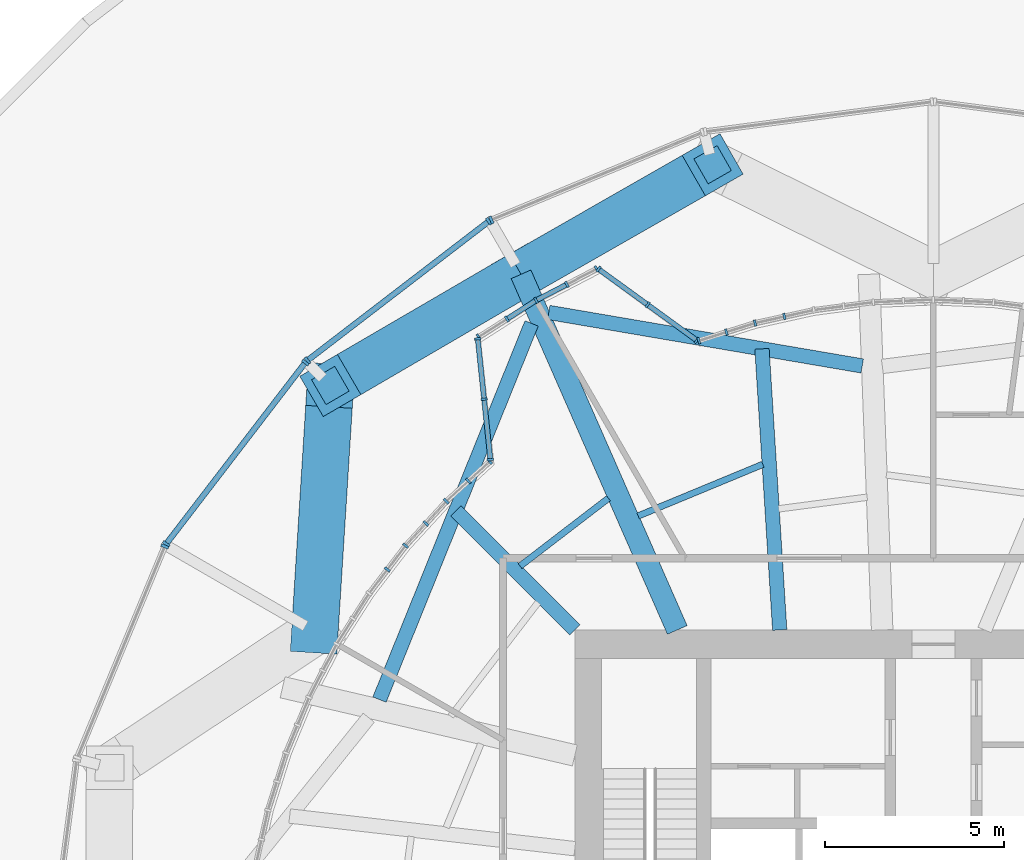
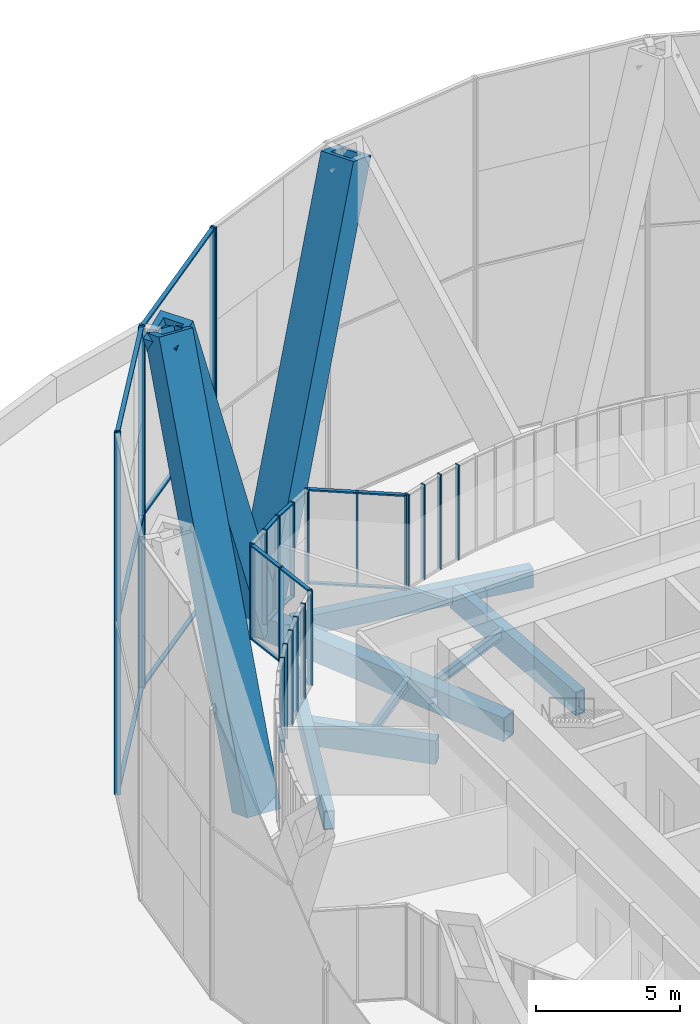
# One storey, part 6 of 27: 48 members, 7 beams, 13 elements without a shape of their own.
"""IFC4 building model written with IfcOpenShell, lengths in metres."""

from ifc_helpers import new_model, si_unit, direction, frame, origin, origin_2d, place, context, subcontext, project, spatial, rectangle, hollow_rectangle, i_section, extrude, material, material_profile, profile_set, type_object, element, aggregate, save


model = new_model("IFC4")

# Units and contexts
model_context = context("Model", 3, precision=1e-05, world=origin(), true_north=direction((0.0, 1.0)))
body_context = subcontext(model_context, "Body", "Model", "MODEL_VIEW")
ifc_project = project(units=[si_unit("LENGTHUNIT", "METRE"), si_unit("AREAUNIT", "SQUARE_METRE"), si_unit("VOLUMEUNIT", "CUBIC_METRE"), si_unit("PLANEANGLEUNIT", "RADIAN"), si_unit("MASSUNIT", "GRAM", prefix="KILO")], contexts=[model_context])

# Site, building, storey
site_placement = place(None, origin())
site = spatial("IfcSite", under=ifc_project, at=site_placement, CompositionType="ELEMENT")
building_placement = place(site_placement, origin())
building = spatial("IfcBuilding", under=site, at=building_placement, Name="Golbaran Civic Tower", CompositionType="ELEMENT")
storey_placement = place(building_placement, frame((0.0, 0.0, 21.0)))
storey = spatial("IfcBuildingStorey", under=building, at=storey_placement, Name="L04", CompositionType="ELEMENT", Elevation=21.0)

# Members
ifc_material_1 = material(Name="Steel S355", Category="steel")
ifc_material_profile_1 = material_profile(ifc_material_1, hollow_rectangle(XDim=1.300048828125, YDim=1.300048828125, WallThickness=0.25, at=origin_2d()), Name="BOX 1300x1300x250")
ifc_profile_set_1 = profile_set([ifc_material_profile_1], Name="Steel S355")
member_type_1 = type_object("IfcMemberType", Name="DIAGRID DIAGONAL BOX 1300x1300x250", PredefinedType="BRACE", material=ifc_profile_set_1)
member_1_placement = place(storey_placement, frame((-11.5, 19.918701171875, -0.7099609375), z_axis=(-0.310240999573, -0.180832692797, 0.933300626486), x_axis=(0.503577568182, -0.86395001755, 0.0)))
element("IfcMember", 1, at=member_1_placement, inside=storey, type_object=member_type_1, Name="Diagonal D00-04R L04-L08", PredefinedType="BRACE", context=body_context, shape_type="SweptSolid", body=[
    extrude(hollow_rectangle(XDim=1.300048828125, YDim=1.300048828125, WallThickness=0.25, at=origin_2d()), origin(), (0.0, 0.0, 1.0), 17.1435546875),
])
member_2_placement = place(storey_placement, frame((-11.5, 19.918701171875, -0.7099609375), z_axis=(0.311722757157, 0.178255459424, 0.933302691444), x_axis=(-0.496407983578, 0.868089346692, 0.0)))
element("IfcMember", 2, at=member_2_placement, inside=storey, type_object=member_type_1, Name="Diagonal D00-04L L04-L08", PredefinedType="BRACE", context=body_context, shape_type="SweptSolid", body=[
    extrude(hollow_rectangle(XDim=1.300048828125, YDim=1.300048828125, WallThickness=0.25, at=origin_2d()), origin(), (0.0, 0.0, 1.0), 17.143310546875),
])
member_3_placement = place(storey_placement, frame((-17.25, 9.959228515625, -0.7099609375), z_axis=(0.024773388533, 0.393906691689, 0.918816520021), x_axis=(-0.998028176188, 0.06276750382, 0.0)))
element("IfcMember", 3, at=member_3_placement, inside=storey, type_object=member_type_1, Name="Diagonal D00-05L L04-L08", PredefinedType="BRACE", context=body_context, shape_type="SweptSolid", body=[
    extrude(hollow_rectangle(XDim=1.300048828125, YDim=1.300048828125, WallThickness=0.25, at=origin_2d()), origin(), (0.0, 0.0, 1.0), 17.413818359375),
])

# Beams
ifc_material_profile_2 = material_profile(ifc_material_1, hollow_rectangle(XDim=0.39990234375, YDim=0.800048828125, WallThickness=0.0400390625, at=origin_2d()), Name="BOX 800x400x40")
ifc_profile_set_2 = profile_set([ifc_material_profile_2], Name="Steel S355")
beam_type_1 = type_object("IfcBeamType", Name="EDGE BEAM BOX 800x400x40", PredefinedType="BEAM", material=ifc_profile_set_2)
beam_1_placement = place(storey_placement, frame((-1.984619140625, 17.363037109375, -0.60009765625), z_axis=(-0.985735979986, 0.168299072372, 0.0), x_axis=(-0.168299072372, -0.985735979986, 0.0)))
element("IfcBeam", 4, at=beam_1_placement, inside=storey, type_object=beam_type_1, Name="Edge beam 90.00 L04", PredefinedType="BEAM", context=body_context, shape_type="SweptSolid", body=[
    extrude(hollow_rectangle(XDim=0.39990234375, YDim=0.800048828125, WallThickness=0.0400390625, at=origin_2d()), origin(), (0.0, 0.0, 1.0), 8.869140625),
])
beam_2_placement = place(storey_placement, frame((-11.20458984375, 18.5498046875, -0.60009765625), z_axis=(-0.37493987114, -0.927049131939, 0.0), x_axis=(0.927049131939, -0.37493987114, 0.0)))
element("IfcBeam", 5, at=beam_2_placement, inside=storey, type_object=beam_type_1, Name="Edge beam 120.00 L04", PredefinedType="BEAM", context=body_context, shape_type="SweptSolid", body=[
    extrude(hollow_rectangle(XDim=0.39990234375, YDim=0.800048828125, WallThickness=0.0400390625, at=origin_2d()), origin(), (0.0, 0.0, 1.0), 11.317626953125),
])
ifc_material_profile_3 = material_profile(ifc_material_1, i_section(OverallWidth=0.179931640625, OverallDepth=0.39990234375, WebThickness=0.008544921875, FlangeThickness=0.013427734375, FilletRadius=0.02099609375, at=origin_2d()), Name="IPE 400")
ifc_profile_set_3 = profile_set([ifc_material_profile_3], Name="Steel S355")
beam_type_2 = type_object("IfcBeamType", Name="FLOOR INFILL BEAM IPE 400", PredefinedType="BEAM", material=ifc_profile_set_3)
beam_3_placement = place(storey_placement, frame((-4.75732421875, 14.61865234375, -0.39990234375), z_axis=(-0.923892670762, -0.382651712283, 0.0), x_axis=(0.382651712283, -0.923892670762, 0.0)))
element("IfcBeam", 6, at=beam_3_placement, inside=storey, type_object=beam_type_2, Name="Infill beam 112.50 L04", PredefinedType="BEAM", context=body_context, shape_type="SweptSolid", body=[
    extrude(i_section(OverallWidth=0.179931640625, OverallDepth=0.39990234375, WebThickness=0.008544921875, FlangeThickness=0.013427734375, FilletRadius=0.02099609375, at=origin_2d()), origin(), (0.0, 0.0, 1.0), 3.762451171875),
])
beam_4_placement = place(storey_placement, frame((-9.06201171875, 13.672607421875, -0.39990234375), z_axis=(-0.7933508078, -0.608764729401, 0.0), x_axis=(0.608764729401, -0.7933508078, 0.0)))
element("IfcBeam", 7, at=beam_4_placement, inside=storey, type_object=beam_type_2, Name="Infill beam 127.50 L04", PredefinedType="BEAM", context=body_context, shape_type="SweptSolid", body=[
    extrude(i_section(OverallWidth=0.179931640625, OverallDepth=0.39990234375, WebThickness=0.008544921875, FlangeThickness=0.013427734375, FilletRadius=0.02099609375, at=origin_2d()), origin(), (0.0, 0.0, 1.0), 3.10693359375),
])

# Curtain wall, members
ifc_material_2 = material(Name="Aluminium and glass", Category="aluminium")
curtain_wall_type_1 = type_object("IfcCurtainWallType", Name="INNER SKIN CURTAIN WALL", PredefinedType="NOTDEFINED", material=ifc_material_2)
curtain_wall_1_placement = place(storey_placement, origin())
curtain_wall_1 = element("IfcCurtainWall", 8, at=curtain_wall_1_placement, inside=storey, type_object=curtain_wall_type_1, Name="Inner skin L04 facet 21 CW1", ObjectType="INNER SKIN", PredefinedType="USERDEFINED")
ifc_material_3 = material(Name="Aluminium", Category="aluminium")
ifc_material_profile_4 = material_profile(ifc_material_3, rectangle(XDim=0.179931640625, YDim=0.06494140625, at=origin_2d()), Name="INNER SKIN CURTAIN WALL MULLION")
ifc_profile_set_4 = profile_set([ifc_material_profile_4], Name="Aluminium")
member_type_2 = type_object("IfcMemberType", Name="INNER SKIN CURTAIN WALL MULLION", PredefinedType="MULLION", material=ifc_profile_set_4)
member_4_placement = place(storey_placement, frame((-4.155029296875, 18.74169921875, 0.0), z_axis=(0.0, 0.0, 1.0), x_axis=(0.216439613921, -0.976296007124, 0.0)))
member_4 = element("IfcMember", 9, at=member_4_placement, type_object=member_type_2, Name="CW1 mullion 2", PredefinedType="MULLION", context=body_context, shape_type="SweptSolid", body=[
    extrude(rectangle(XDim=0.179931640625, YDim=0.06494140625, at=origin_2d()), origin(), (0.0, 0.0, 1.0), 4.0),
])
member_5_placement = place(storey_placement, frame((-4.97314453125, 18.560302734375, 0.0), z_axis=(0.0, 0.0, 1.0), x_axis=(0.258819045086, -0.965925826294, 0.0)))
member_5 = element("IfcMember", 10, at=member_5_placement, type_object=member_type_2, Name="CW1 mullion 3", PredefinedType="MULLION", context=body_context, shape_type="SweptSolid", body=[
    extrude(rectangle(XDim=0.179931640625, YDim=0.06494140625, at=origin_2d()), origin(), (0.0, 0.0, 1.0), 4.0),
])
aggregate(curtain_wall_1, [member_4, member_5])

curtain_wall_2_placement = place(storey_placement, origin())
curtain_wall_2 = element("IfcCurtainWall", 11, at=curtain_wall_2_placement, inside=storey, type_object=curtain_wall_type_1, Name="Inner skin L04 facet 22 CW1", ObjectType="INNER SKIN", PredefinedType="USERDEFINED")
member_6_placement = place(storey_placement, frame((-5.7724609375, 18.308349609375, 0.0), z_axis=(0.0, 0.0, 1.0), x_axis=(0.300705799704, -0.953716950685, 0.0)))
member_6 = element("IfcMember", 12, at=member_6_placement, type_object=member_type_2, Name="CW1 mullion 2", PredefinedType="MULLION", context=body_context, shape_type="SweptSolid", body=[
    extrude(rectangle(XDim=0.179931640625, YDim=0.06494140625, at=origin_2d()), origin(), (0.0, 0.0, 1.0), 4.0),
])
member_7_placement = place(storey_placement, frame((-6.541015625, 18.06591796875, 0.0), z_axis=(0.0, 0.0, 1.0), x_axis=(0.300705799704, -0.953716950685, 0.0)))
member_7 = element("IfcMember", 13, at=member_7_placement, type_object=member_type_2, Name="CW1 mullion 3", PredefinedType="MULLION", context=body_context, shape_type="SweptSolid", body=[
    extrude(rectangle(XDim=0.179931640625, YDim=0.06494140625, at=origin_2d()), origin(), (0.0, 0.0, 1.0), 4.0),
])
aggregate(curtain_wall_2, [member_6, member_7])

curtain_wall_3_placement = place(storey_placement, origin())
curtain_wall_3 = element("IfcCurtainWall", 14, at=curtain_wall_3_placement, inside=storey, type_object=curtain_wall_type_1, Name="Inner skin L04 facet 23 CW1", ObjectType="INNER SKIN", PredefinedType="USERDEFINED")
member_8_placement = place(storey_placement, frame((-6.59814453125, 18.0751953125, 0.0), z_axis=(0.0, 0.0, 1.0), x_axis=(-0.587431163679, -0.809274136458, 0.0)))
member_8 = element("IfcMember", 15, at=member_8_placement, type_object=member_type_2, Name="CW1 mullion 1", PredefinedType="MULLION", context=body_context, shape_type="SweptSolid", body=[
    extrude(rectangle(XDim=0.179931640625, YDim=0.06494140625, at=origin_2d()), origin(), (0.0, 0.0, 1.0), 4.0),
])
member_9_placement = place(storey_placement, frame((-7.968505859375, 19.070068359375, 0.0), z_axis=(0.0, 0.0, 1.0), x_axis=(-0.587431163679, -0.809274136458, 0.0)))
member_9 = element("IfcMember", 16, at=member_9_placement, type_object=member_type_2, Name="CW1 mullion 2", PredefinedType="MULLION", context=body_context, shape_type="SweptSolid", body=[
    extrude(rectangle(XDim=0.179931640625, YDim=0.06494140625, at=origin_2d()), origin(), (0.0, 0.0, 1.0), 4.0),
])
member_10_placement = place(storey_placement, frame((-9.3388671875, 20.064697265625, 0.0), z_axis=(0.0, 0.0, 1.0), x_axis=(-0.587431163679, -0.809274136458, 0.0)))
member_10 = element("IfcMember", 17, at=member_10_placement, type_object=member_type_2, Name="CW1 mullion 3", PredefinedType="MULLION", context=body_context, shape_type="SweptSolid", body=[
    extrude(rectangle(XDim=0.179931640625, YDim=0.06494140625, at=origin_2d()), origin(), (0.0, 0.0, 1.0), 4.0),
])

curtain_wall_4_placement = place(storey_placement, origin())
curtain_wall_4 = element("IfcCurtainWall", 18, at=curtain_wall_4_placement, inside=storey, type_object=curtain_wall_type_1, Name="Inner skin L04 facet 24 CW1", ObjectType="INNER SKIN", PredefinedType="USERDEFINED")
member_11_placement = place(storey_placement, frame((-9.39404296875, 20.06884765625, 0.0), z_axis=(0.0, 0.0, 1.0), x_axis=(0.461748613251, -0.88701083317, 0.0)))
member_11 = element("IfcMember", 19, at=member_11_placement, type_object=member_type_2, Name="CW1 mullion 1", PredefinedType="MULLION", context=body_context, shape_type="SweptSolid", body=[
    extrude(rectangle(XDim=0.179931640625, YDim=0.06494140625, at=origin_2d()), origin(), (0.0, 0.0, 1.0), 4.0),
])
member_12_placement = place(storey_placement, frame((-10.22265625, 19.637451171875, 0.0), z_axis=(0.0, 0.0, 1.0), x_axis=(0.461748613251, -0.88701083317, 0.0)))
member_12 = element("IfcMember", 20, at=member_12_placement, type_object=member_type_2, Name="CW1 mullion 2", PredefinedType="MULLION", context=body_context, shape_type="SweptSolid", body=[
    extrude(rectangle(XDim=0.179931640625, YDim=0.06494140625, at=origin_2d()), origin(), (0.0, 0.0, 1.0), 4.0),
])
member_13_placement = place(storey_placement, frame((-11.080078125, 19.191162109375, 0.0), z_axis=(0.0, 0.0, 1.0), x_axis=(0.50000000003, -0.866025403767, 0.0)))
member_13 = element("IfcMember", 21, at=member_13_placement, type_object=member_type_2, Name="CW1 mullion 3", PredefinedType="MULLION", context=body_context, shape_type="SweptSolid", body=[
    extrude(rectangle(XDim=0.179931640625, YDim=0.06494140625, at=origin_2d()), origin(), (0.0, 0.0, 1.0), 4.0),
])

curtain_wall_5_placement = place(storey_placement, origin())
curtain_wall_5 = element("IfcCurtainWall", 22, at=curtain_wall_5_placement, inside=storey, type_object=curtain_wall_type_1, Name="Inner skin L04 facet 25 CW1", ObjectType="INNER SKIN", PredefinedType="USERDEFINED")
member_14_placement = place(storey_placement, frame((-11.895263671875, 18.671875, 0.0), z_axis=(0.0, 0.0, 1.0), x_axis=(0.53729960845, -0.843391445747, 0.0)))
member_14 = element("IfcMember", 23, at=member_14_placement, type_object=member_type_2, Name="CW1 mullion 2", PredefinedType="MULLION", context=body_context, shape_type="SweptSolid", body=[
    extrude(rectangle(XDim=0.179931640625, YDim=0.06494140625, at=origin_2d()), origin(), (0.0, 0.0, 1.0), 4.0),
])
member_15_placement = place(storey_placement, frame((-12.68310546875, 18.169921875, 0.0), z_axis=(0.0, 0.0, 1.0), x_axis=(0.53729960845, -0.843391445747, 0.0)))
member_15 = element("IfcMember", 24, at=member_15_placement, type_object=member_type_2, Name="CW1 mullion 3", PredefinedType="MULLION", context=body_context, shape_type="SweptSolid", body=[
    extrude(rectangle(XDim=0.179931640625, YDim=0.06494140625, at=origin_2d()), origin(), (0.0, 0.0, 1.0), 4.0),
])

curtain_wall_6_placement = place(storey_placement, origin())
curtain_wall_6 = element("IfcCurtainWall", 25, at=curtain_wall_6_placement, inside=storey, type_object=curtain_wall_type_1, Name="Inner skin L04 facet 26 CW1", ObjectType="INNER SKIN", PredefinedType="USERDEFINED")
member_16_placement = place(storey_placement, frame((-12.70703125, 18.1201171875, 0.0), z_axis=(0.0, 0.0, 1.0), x_axis=(0.994567542635, 0.104093242509, 0.0)))
member_16 = element("IfcMember", 26, at=member_16_placement, type_object=member_type_2, Name="CW1 mullion 1", PredefinedType="MULLION", context=body_context, shape_type="SweptSolid", body=[
    extrude(rectangle(XDim=0.179931640625, YDim=0.06494140625, at=origin_2d()), origin(), (0.0, 0.0, 1.0), 4.0),
])
member_17_placement = place(storey_placement, frame((-12.53076171875, 16.43603515625, 0.0), z_axis=(0.0, 0.0, 1.0), x_axis=(0.994567542635, 0.104093242509, 0.0)))
member_17 = element("IfcMember", 27, at=member_17_placement, type_object=member_type_2, Name="CW1 mullion 2", PredefinedType="MULLION", context=body_context, shape_type="SweptSolid", body=[
    extrude(rectangle(XDim=0.179931640625, YDim=0.06494140625, at=origin_2d()), origin(), (0.0, 0.0, 1.0), 4.0),
])
member_18_placement = place(storey_placement, frame((-12.3544921875, 14.751953125, 0.0), z_axis=(0.0, 0.0, 1.0), x_axis=(0.994567542635, 0.104093242509, 0.0)))
member_18 = element("IfcMember", 28, at=member_18_placement, type_object=member_type_2, Name="CW1 mullion 3", PredefinedType="MULLION", context=body_context, shape_type="SweptSolid", body=[
    extrude(rectangle(XDim=0.179931640625, YDim=0.06494140625, at=origin_2d()), origin(), (0.0, 0.0, 1.0), 4.0),
])

curtain_wall_7_placement = place(storey_placement, origin())
curtain_wall_7 = element("IfcCurtainWall", 29, at=curtain_wall_7_placement, inside=storey, type_object=curtain_wall_type_1, Name="Inner skin L04 facet 27 CW1", ObjectType="INNER SKIN", PredefinedType="USERDEFINED")
member_19_placement = place(storey_placement, frame((-12.375244140625, 14.697509765625, 0.0), z_axis=(0.0, 0.0, 1.0), x_axis=(0.67559020804, -0.737277336421, 0.0)))
member_19 = element("IfcMember", 30, at=member_19_placement, type_object=member_type_2, Name="CW1 mullion 1", PredefinedType="MULLION", context=body_context, shape_type="SweptSolid", body=[
    extrude(rectangle(XDim=0.179931640625, YDim=0.06494140625, at=origin_2d()), origin(), (0.0, 0.0, 1.0), 4.0),
])
member_20_placement = place(storey_placement, frame((-12.968994140625, 14.1533203125, 0.0), z_axis=(0.0, 0.0, 1.0), x_axis=(0.67559020804, -0.737277336421, 0.0)))
member_20 = element("IfcMember", 31, at=member_20_placement, type_object=member_type_2, Name="CW1 mullion 2", PredefinedType="MULLION", context=body_context, shape_type="SweptSolid", body=[
    extrude(rectangle(XDim=0.179931640625, YDim=0.06494140625, at=origin_2d()), origin(), (0.0, 0.0, 1.0), 4.0),
])
member_21_placement = place(storey_placement, frame((-13.587158203125, 13.587158203125, 0.0), z_axis=(0.0, 0.0, 1.0), x_axis=(0.707106781236, -0.707106781137, 0.0)))
member_21 = element("IfcMember", 32, at=member_21_placement, type_object=member_type_2, Name="CW1 mullion 3", PredefinedType="MULLION", context=body_context, shape_type="SweptSolid", body=[
    extrude(rectangle(XDim=0.179931640625, YDim=0.06494140625, at=origin_2d()), origin(), (0.0, 0.0, 1.0), 4.0),
])
aggregate(curtain_wall_7, [member_19, member_20, member_21])

curtain_wall_8_placement = place(storey_placement, origin())
curtain_wall_8 = element("IfcCurtainWall", 33, at=curtain_wall_8_placement, inside=storey, type_object=curtain_wall_type_1, Name="Inner skin L04 facet 28 CW1", ObjectType="INNER SKIN", PredefinedType="USERDEFINED")
member_22_placement = place(storey_placement, frame((-14.1533203125, 12.968994140625, 0.0), z_axis=(0.0, 0.0, 1.0), x_axis=(0.737277336421, -0.67559020804, 0.0)))
member_22 = element("IfcMember", 34, at=member_22_placement, type_object=member_type_2, Name="CW1 mullion 2", PredefinedType="MULLION", context=body_context, shape_type="SweptSolid", body=[
    extrude(rectangle(XDim=0.179931640625, YDim=0.06494140625, at=origin_2d()), origin(), (0.0, 0.0, 1.0), 4.0),
])
member_23_placement = place(storey_placement, frame((-14.719482421875, 12.35107421875, 0.0), z_axis=(0.0, 0.0, 1.0), x_axis=(0.766044442996, -0.642787609834, 0.0)))
member_23 = element("IfcMember", 35, at=member_23_placement, type_object=member_type_2, Name="CW1 mullion 3", PredefinedType="MULLION", context=body_context, shape_type="SweptSolid", body=[
    extrude(rectangle(XDim=0.179931640625, YDim=0.06494140625, at=origin_2d()), origin(), (0.0, 0.0, 1.0), 4.0),
])
aggregate(curtain_wall_8, [member_22, member_23])

# Curtain wall, member
curtain_wall_9_placement = place(storey_placement, origin())
curtain_wall_9 = element("IfcCurtainWall", 36, at=curtain_wall_9_placement, inside=storey, type_object=curtain_wall_type_1, Name="Inner skin L04 facet 29 CW1", ObjectType="INNER SKIN", PredefinedType="USERDEFINED")
member_24_placement = place(storey_placement, frame((-15.229736328125, 11.686279296875, 0.0), z_axis=(0.0, 0.0, 1.0), x_axis=(0.793353340514, -0.608761428718, 0.0)))
member_24 = element("IfcMember", 37, at=member_24_placement, type_object=member_type_2, Name="CW1 mullion 2", PredefinedType="MULLION", context=body_context, shape_type="SweptSolid", body=[
    extrude(rectangle(XDim=0.179931640625, YDim=0.06494140625, at=origin_2d()), origin(), (0.0, 0.0, 1.0), 4.0),
])
aggregate(curtain_wall_9, [member_24])

# Member
ifc_material_profile_5 = material_profile(ifc_material_3, rectangle(XDim=0.139892578125, YDim=0.06494140625, at=origin_2d()), Name="INNER SKIN CURTAIN WALL TRANSOM")
ifc_profile_set_5 = profile_set([ifc_material_profile_5], Name="Aluminium")
member_type_3 = type_object("IfcMemberType", Name="INNER SKIN CURTAIN WALL TRANSOM", PredefinedType="USERDEFINED", material=ifc_profile_set_5)
member_25_placement = place(storey_placement, frame((-6.62451171875, 18.094482421875, 0.032470703125), z_axis=(-0.809364550476, 0.587306584701, 0.0), x_axis=(-0.587306584701, -0.809364550476, 0.0)))
member_25 = element("IfcMember", 38, at=member_25_placement, type_object=member_type_3, Name="CW1 transom 1.1", ObjectType="TRANSOM", PredefinedType="USERDEFINED", context=body_context, shape_type="SweptSolid", body=[
    extrude(rectangle(XDim=0.139892578125, YDim=0.06494140625, at=origin_2d()), origin(), (0.0, 0.0, 1.0), 1.628173828125),
])

member_26_placement = place(storey_placement, frame((-6.62451171875, 18.094482421875, 3.967529296875), z_axis=(-0.809364550476, 0.587306584701, 0.0), x_axis=(-0.587306584701, -0.809364550476, 0.0)))
member_26 = element("IfcMember", 39, at=member_26_placement, type_object=member_type_3, Name="CW1 transom 1.2", ObjectType="TRANSOM", PredefinedType="USERDEFINED", context=body_context, shape_type="SweptSolid", body=[
    extrude(rectangle(XDim=0.139892578125, YDim=0.06494140625, at=origin_2d()), origin(), (0.0, 0.0, 1.0), 1.628173828125),
])

member_27_placement = place(storey_placement, frame((-7.994873046875, 19.089111328125, 0.032470703125), z_axis=(-0.809241538487, 0.58747606963, 0.0), x_axis=(-0.58747606963, -0.809241538487, 0.0)))
member_27 = element("IfcMember", 40, at=member_27_placement, type_object=member_type_3, Name="CW1 transom 2.1", ObjectType="TRANSOM", PredefinedType="USERDEFINED", context=body_context, shape_type="SweptSolid", body=[
    extrude(rectangle(XDim=0.139892578125, YDim=0.06494140625, at=origin_2d()), origin(), (0.0, 0.0, 1.0), 1.628173828125),
])

member_28_placement = place(storey_placement, frame((-7.994873046875, 19.089111328125, 3.967529296875), z_axis=(-0.809241538487, 0.58747606963, 0.0), x_axis=(-0.58747606963, -0.809241538487, 0.0)))
member_28 = element("IfcMember", 41, at=member_28_placement, type_object=member_type_3, Name="CW1 transom 2.2", ObjectType="TRANSOM", PredefinedType="USERDEFINED", context=body_context, shape_type="SweptSolid", body=[
    extrude(rectangle(XDim=0.139892578125, YDim=0.06494140625, at=origin_2d()), origin(), (0.0, 0.0, 1.0), 1.628173828125),
])

aggregate(curtain_wall_3, [member_8, member_9, member_10, member_25, member_26, member_27, member_28])

member_29_placement = place(storey_placement, frame((-10.25146484375, 19.62255859375, 0.032470703125), z_axis=(-0.886941812776, -0.461881176006, 0.0), x_axis=(0.461881176006, -0.886941812776, 0.0)))
member_29 = element("IfcMember", 42, at=member_29_placement, type_object=member_type_3, Name="CW1 transom 2.1", ObjectType="TRANSOM", PredefinedType="USERDEFINED", context=body_context, shape_type="SweptSolid", body=[
    extrude(rectangle(XDim=0.139892578125, YDim=0.06494140625, at=origin_2d()), origin(), (0.0, 0.0, 1.0), 0.90185546875),
])

member_30_placement = place(storey_placement, frame((-10.25146484375, 19.62255859375, 3.967529296875), z_axis=(-0.886941812776, -0.461881176006, 0.0), x_axis=(0.461881176006, -0.886941812776, 0.0)))
member_30 = element("IfcMember", 43, at=member_30_placement, type_object=member_type_3, Name="CW1 transom 2.2", ObjectType="TRANSOM", PredefinedType="USERDEFINED", context=body_context, shape_type="SweptSolid", body=[
    extrude(rectangle(XDim=0.139892578125, YDim=0.06494140625, at=origin_2d()), origin(), (0.0, 0.0, 1.0), 0.90185546875),
])

aggregate(curtain_wall_4, [member_11, member_12, member_13, member_29, member_30])

member_31_placement = place(storey_placement, frame((-11.107421875, 19.173583984375, 0.032470703125), z_axis=(-0.843449584092, -0.537208338632, 0.0), x_axis=(0.537208338632, -0.843449584092, 0.0)))
member_31 = element("IfcMember", 44, at=member_31_placement, type_object=member_type_3, Name="CW1 transom 1.1", ObjectType="TRANSOM", PredefinedType="USERDEFINED", context=body_context, shape_type="SweptSolid", body=[
    extrude(rectangle(XDim=0.139892578125, YDim=0.06494140625, at=origin_2d()), origin(), (0.0, 0.0, 1.0), 0.901611328125),
])

member_32_placement = place(storey_placement, frame((-11.107421875, 19.173583984375, 3.967529296875), z_axis=(-0.843449584092, -0.537208338632, 0.0), x_axis=(0.537208338632, -0.843449584092, 0.0)))
member_32 = element("IfcMember", 45, at=member_32_placement, type_object=member_type_3, Name="CW1 transom 1.2", ObjectType="TRANSOM", PredefinedType="USERDEFINED", context=body_context, shape_type="SweptSolid", body=[
    extrude(rectangle(XDim=0.139892578125, YDim=0.06494140625, at=origin_2d()), origin(), (0.0, 0.0, 1.0), 0.901611328125),
])

aggregate(curtain_wall_5, [member_14, member_15, member_31, member_32])

member_33_placement = place(storey_placement, frame((-12.70361328125, 18.087646484375, 0.032470703125), z_axis=(0.104060344305, -0.994570985271, 0.0), x_axis=(0.994570985271, 0.104060344305, 0.0)))
member_33 = element("IfcMember", 46, at=member_33_placement, type_object=member_type_3, Name="CW1 transom 1.1", ObjectType="TRANSOM", PredefinedType="USERDEFINED", context=body_context, shape_type="SweptSolid", body=[
    extrude(rectangle(XDim=0.139892578125, YDim=0.06494140625, at=origin_2d()), origin(), (0.0, 0.0, 1.0), 1.628173828125),
])

member_34_placement = place(storey_placement, frame((-12.70361328125, 18.087646484375, 3.967529296875), z_axis=(0.104060344305, -0.994570985271, 0.0), x_axis=(0.994570985271, 0.104060344305, 0.0)))
member_34 = element("IfcMember", 47, at=member_34_placement, type_object=member_type_3, Name="CW1 transom 1.2", ObjectType="TRANSOM", PredefinedType="USERDEFINED", context=body_context, shape_type="SweptSolid", body=[
    extrude(rectangle(XDim=0.139892578125, YDim=0.06494140625, at=origin_2d()), origin(), (0.0, 0.0, 1.0), 1.628173828125),
])

member_35_placement = place(storey_placement, frame((-12.52734375, 16.403564453125, 0.032470703125), z_axis=(0.104060344305, -0.994570985271, 0.0), x_axis=(0.994570985271, 0.104060344305, 0.0)))
member_35 = element("IfcMember", 48, at=member_35_placement, type_object=member_type_3, Name="CW1 transom 2.1", ObjectType="TRANSOM", PredefinedType="USERDEFINED", context=body_context, shape_type="SweptSolid", body=[
    extrude(rectangle(XDim=0.139892578125, YDim=0.06494140625, at=origin_2d()), origin(), (0.0, 0.0, 1.0), 1.628173828125),
])

member_36_placement = place(storey_placement, frame((-12.52734375, 16.403564453125, 3.967529296875), z_axis=(0.104060344305, -0.994570985271, 0.0), x_axis=(0.994570985271, 0.104060344305, 0.0)))
member_36 = element("IfcMember", 49, at=member_36_placement, type_object=member_type_3, Name="CW1 transom 2.2", ObjectType="TRANSOM", PredefinedType="USERDEFINED", context=body_context, shape_type="SweptSolid", body=[
    extrude(rectangle(XDim=0.139892578125, YDim=0.06494140625, at=origin_2d()), origin(), (0.0, 0.0, 1.0), 1.628173828125),
])

aggregate(curtain_wall_6, [member_16, member_17, member_18, member_33, member_34, member_35, member_36])

# Curtain wall, member
curtain_wall_type_2 = type_object("IfcCurtainWallType", Name="OUTER SKIN TERRACOTTA SCREEN", PredefinedType="NOTDEFINED", material=ifc_material_2)
curtain_wall_10_placement = place(storey_placement, origin())
curtain_wall_10 = element("IfcCurtainWall", 50, at=curtain_wall_10_placement, inside=storey, type_object=curtain_wall_type_2, Name="Outer skin L04 facet 8 CW3", ObjectType="OUTER SKIN", PredefinedType="USERDEFINED")
ifc_material_profile_6 = material_profile(ifc_material_3, rectangle(XDim=0.219970703125, YDim=0.080078125, at=origin_2d()), Name="OUTER SKIN TERRACOTTA SCREEN MULLION")
ifc_profile_set_6 = profile_set([ifc_material_profile_6], Name="Aluminium")
member_type_4 = type_object("IfcMemberType", Name="OUTER SKIN TERRACOTTA SCREEN MULLION", PredefinedType="MULLION", material=ifc_profile_set_6)
member_37_placement = place(storey_placement, frame((-12.33056640625, 21.4365234375, 0.0), z_axis=(0.0, 0.0, 1.0), x_axis=(0.382683432301, -0.923879532538, 0.0)))
member_37 = element("IfcMember", 51, at=member_37_placement, type_object=member_type_4, Name="CW3 mullion 2", PredefinedType="MULLION", context=body_context, shape_type="SweptSolid", body=[
    extrude(rectangle(XDim=0.219970703125, YDim=0.080078125, at=origin_2d()), origin(), (0.0, 0.0, 1.0), 15.2900390625),
])
aggregate(curtain_wall_10, [member_37])

# Curtain wall, members
curtain_wall_11_placement = place(storey_placement, origin())
curtain_wall_11 = element("IfcCurtainWall", 52, at=curtain_wall_11_placement, inside=storey, type_object=curtain_wall_type_2, Name="Outer skin L04 facet 9 CW3", ObjectType="OUTER SKIN", PredefinedType="USERDEFINED")
member_38_placement = place(storey_placement, frame((-12.399169921875, 21.396728515625, 0.0), z_axis=(0.0, 0.0, 1.0), x_axis=(0.608761428981, -0.793353340312, 0.0)))
member_38 = element("IfcMember", 53, at=member_38_placement, type_object=member_type_4, Name="CW3 mullion 1", PredefinedType="MULLION", context=body_context, shape_type="SweptSolid", body=[
    extrude(rectangle(XDim=0.219970703125, YDim=0.080078125, at=origin_2d()), origin(), (0.0, 0.0, 1.0), 15.2900390625),
])
member_39_placement = place(storey_placement, frame((-17.45849609375, 17.5146484375, 0.0), z_axis=(0.0, 0.0, 1.0), x_axis=(0.608761428981, -0.793353340312, 0.0)))
member_39 = element("IfcMember", 54, at=member_39_placement, type_object=member_type_4, Name="CW3 mullion 2", PredefinedType="MULLION", context=body_context, shape_type="SweptSolid", body=[
    extrude(rectangle(XDim=0.219970703125, YDim=0.080078125, at=origin_2d()), origin(), (0.0, 0.0, 1.0), 15.2900390625),
])

curtain_wall_12_placement = place(storey_placement, origin())
curtain_wall_12 = element("IfcCurtainWall", 55, at=curtain_wall_12_placement, inside=storey, type_object=curtain_wall_type_2, Name="Outer skin L04 facet 10 CW3", ObjectType="OUTER SKIN", PredefinedType="USERDEFINED")
member_40_placement = place(storey_placement, frame((-17.5146484375, 17.45849609375, 0.0), z_axis=(0.0, 0.0, 1.0), x_axis=(0.793353340312, -0.608761428981, 0.0)))
member_40 = element("IfcMember", 56, at=member_40_placement, type_object=member_type_4, Name="CW3 mullion 1", PredefinedType="MULLION", context=body_context, shape_type="SweptSolid", body=[
    extrude(rectangle(XDim=0.219970703125, YDim=0.080078125, at=origin_2d()), origin(), (0.0, 0.0, 1.0), 15.2900390625),
])
member_41_placement = place(storey_placement, frame((-21.396728515625, 12.399169921875, 0.0), z_axis=(0.0, 0.0, 1.0), x_axis=(0.793353340312, -0.608761428981, 0.0)))
member_41 = element("IfcMember", 57, at=member_41_placement, type_object=member_type_4, Name="CW3 mullion 2", PredefinedType="MULLION", context=body_context, shape_type="SweptSolid", body=[
    extrude(rectangle(XDim=0.219970703125, YDim=0.080078125, at=origin_2d()), origin(), (0.0, 0.0, 1.0), 15.2900390625),
])

# Curtain wall, member
curtain_wall_13_placement = place(storey_placement, origin())
curtain_wall_13 = element("IfcCurtainWall", 58, at=curtain_wall_13_placement, inside=storey, type_object=curtain_wall_type_2, Name="Outer skin L04 facet 11 CW3", ObjectType="OUTER SKIN", PredefinedType="USERDEFINED")
member_42_placement = place(storey_placement, frame((-21.4365234375, 12.33056640625, 0.0), z_axis=(0.0, 0.0, 1.0), x_axis=(0.923879532538, -0.382683432301, 0.0)))
member_42 = element("IfcMember", 59, at=member_42_placement, type_object=member_type_4, Name="CW3 mullion 1", PredefinedType="MULLION", context=body_context, shape_type="SweptSolid", body=[
    extrude(rectangle(XDim=0.219970703125, YDim=0.080078125, at=origin_2d()), origin(), (0.0, 0.0, 1.0), 15.2900390625),
])
aggregate(curtain_wall_13, [member_42])

# Member
ifc_material_profile_7 = material_profile(ifc_material_3, rectangle(XDim=0.159912109375, YDim=0.080078125, at=origin_2d()), Name="OUTER SKIN TERRACOTTA SCREEN TRANSOM")
ifc_profile_set_7 = profile_set([ifc_material_profile_7], Name="Aluminium")
member_type_5 = type_object("IfcMemberType", Name="OUTER SKIN TERRACOTTA SCREEN TRANSOM", PredefinedType="USERDEFINED", material=ifc_profile_set_7)
member_43_placement = place(storey_placement, frame((-12.430908203125, 21.37255859375, 0.0400390625), z_axis=(-0.793349822983, -0.608766012827, 0.0), x_axis=(0.608766012827, -0.793349822983, 0.0)))
member_43 = element("IfcMember", 60, at=member_43_placement, type_object=member_type_5, Name="CW3 transom 1.1", ObjectType="TRANSOM", PredefinedType="USERDEFINED", context=body_context, shape_type="SweptSolid", body=[
    extrude(rectangle(XDim=0.159912109375, YDim=0.080078125, at=origin_2d()), origin(), (0.0, 0.0, 1.0), 6.297119140625),
])

member_44_placement = place(storey_placement, frame((-12.430908203125, 21.37255859375, 7.2900390625), z_axis=(-0.793349822983, -0.608766012827, 0.0), x_axis=(0.608766012827, -0.793349822983, 0.0)))
member_44 = element("IfcMember", 61, at=member_44_placement, type_object=member_type_5, Name="CW3 transom 1.2", ObjectType="TRANSOM", PredefinedType="USERDEFINED", context=body_context, shape_type="SweptSolid", body=[
    extrude(rectangle(XDim=0.159912109375, YDim=0.080078125, at=origin_2d()), origin(), (0.0, 0.0, 1.0), 6.297119140625),
])

member_45_placement = place(storey_placement, frame((-12.430908203125, 21.37255859375, 15.25), z_axis=(-0.793349822983, -0.608766012827, 0.0), x_axis=(0.608766012827, -0.793349822983, 0.0)))
member_45 = element("IfcMember", 62, at=member_45_placement, type_object=member_type_5, Name="CW3 transom 1.3", ObjectType="TRANSOM", PredefinedType="USERDEFINED", context=body_context, shape_type="SweptSolid", body=[
    extrude(rectangle(XDim=0.159912109375, YDim=0.080078125, at=origin_2d()), origin(), (0.0, 0.0, 1.0), 6.297119140625),
])

aggregate(curtain_wall_11, [member_38, member_39, member_43, member_44, member_45])

member_46_placement = place(storey_placement, frame((-17.5390625, 17.4267578125, 0.0400390625), z_axis=(-0.608766012827, -0.793349822983, 0.0), x_axis=(0.793349822983, -0.608766012827, 0.0)))
member_46 = element("IfcMember", 63, at=member_46_placement, type_object=member_type_5, Name="CW3 transom 1.1", ObjectType="TRANSOM", PredefinedType="USERDEFINED", context=body_context, shape_type="SweptSolid", body=[
    extrude(rectangle(XDim=0.159912109375, YDim=0.080078125, at=origin_2d()), origin(), (0.0, 0.0, 1.0), 6.297119140625),
])

member_47_placement = place(storey_placement, frame((-17.5390625, 17.4267578125, 7.2900390625), z_axis=(-0.608766012827, -0.793349822983, 0.0), x_axis=(0.793349822983, -0.608766012827, 0.0)))
member_47 = element("IfcMember", 64, at=member_47_placement, type_object=member_type_5, Name="CW3 transom 1.2", ObjectType="TRANSOM", PredefinedType="USERDEFINED", context=body_context, shape_type="SweptSolid", body=[
    extrude(rectangle(XDim=0.159912109375, YDim=0.080078125, at=origin_2d()), origin(), (0.0, 0.0, 1.0), 6.297119140625),
])

member_48_placement = place(storey_placement, frame((-17.5390625, 17.4267578125, 15.25), z_axis=(-0.608766012827, -0.793349822983, 0.0), x_axis=(0.793349822983, -0.608766012827, 0.0)))
member_48 = element("IfcMember", 65, at=member_48_placement, type_object=member_type_5, Name="CW3 transom 1.3", ObjectType="TRANSOM", PredefinedType="USERDEFINED", context=body_context, shape_type="SweptSolid", body=[
    extrude(rectangle(XDim=0.159912109375, YDim=0.080078125, at=origin_2d()), origin(), (0.0, 0.0, 1.0), 6.297119140625),
])

aggregate(curtain_wall_12, [member_40, member_41, member_46, member_47, member_48])

# Beams
ifc_material_profile_8 = material_profile(ifc_material_1, hollow_rectangle(XDim=0.60009765625, YDim=1.0, WallThickness=0.06005859375, at=origin_2d()), Name="BOX 1000x600x60")
ifc_profile_set_8 = profile_set([ifc_material_profile_8], Name="Steel S355")
beam_type_3 = type_object("IfcBeamType", Name="RADIAL FLOOR BEAM BOX 1000x600x60", PredefinedType="BEAM", material=ifc_profile_set_8)
beam_5_placement = place(storey_placement, frame((-7.142822265625, 10.0, -0.7099609375), z_axis=(-0.402193277378, 0.9155547868, 0.0), x_axis=(-0.9155547868, -0.402193277378, 0.0)))
element("IfcBeam", 66, at=beam_5_placement, inside=storey, type_object=beam_type_3, Name="Radial beam 120.00 L04", PredefinedType="BEAM", context=body_context, shape_type="SweptSolid", body=[
    extrude(hollow_rectangle(XDim=0.60009765625, YDim=1.0, WallThickness=0.06005859375, at=origin_2d()), origin(), (0.0, 0.0, 1.0), 10.83349609375),
])
ifc_material_profile_9 = material_profile(ifc_material_1, hollow_rectangle(XDim=0.39990234375, YDim=1.0, WallThickness=0.050048828125, at=origin_2d()), Name="BOX 1000x400x50")
ifc_profile_set_9 = profile_set([ifc_material_profile_9], Name="Steel S355")
beam_type_4 = type_object("IfcBeamType", Name="SECONDARY FLOOR BEAM BOX 1000x400x50", PredefinedType="BEAM", material=ifc_profile_set_9)
beam_6_placement = place(storey_placement, frame((-4.28564453125, 10.0, -0.7099609375), z_axis=(-0.062962576768, 0.998015888614, 0.0), x_axis=(-0.998015888614, -0.062962576768, 0.0)))
element("IfcBeam", 67, at=beam_6_placement, inside=storey, type_object=beam_type_4, Name="Secondary beam 105.00 L04", PredefinedType="BEAM", context=body_context, shape_type="SweptSolid", body=[
    extrude(hollow_rectangle(XDim=0.39990234375, YDim=1.0, WallThickness=0.050048828125, at=origin_2d()), origin(), (0.0, 0.0, 1.0), 7.85595703125),
])
beam_7_placement = place(storey_placement, frame((-10.0, 10.0, -0.7099609375), z_axis=(-0.707106781187, 0.707106781187, 0.0), x_axis=(-0.707106781187, -0.707106781187, 0.0)))
element("IfcBeam", 68, at=beam_7_placement, inside=storey, type_object=beam_type_4, Name="Secondary beam 135.00 L04", PredefinedType="BEAM", context=body_context, shape_type="SweptSolid", body=[
    extrude(hollow_rectangle(XDim=0.39990234375, YDim=1.0, WallThickness=0.050048828125, at=origin_2d()), origin(), (0.0, 0.0, 1.0), 4.69482421875),
])

save(model, "model.ifc")
